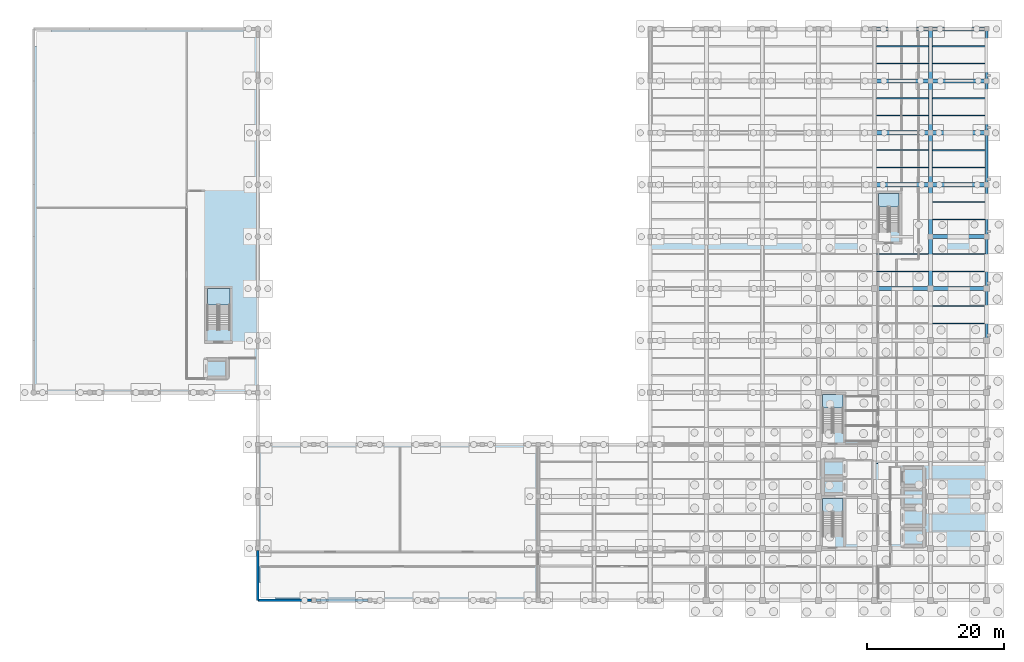
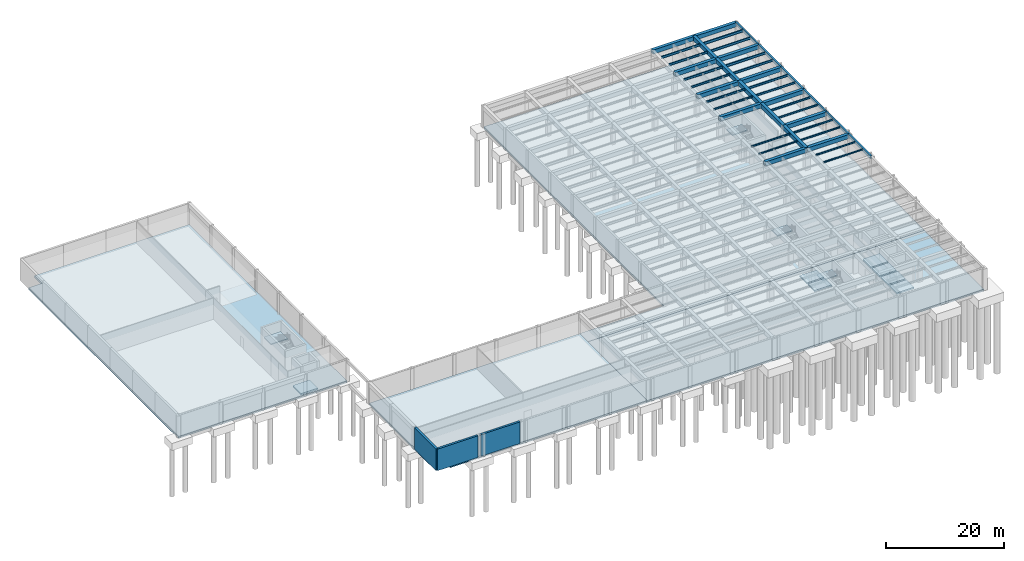
# One storey, part 15 of 29: 42 beams, 15 slabs, 3 walls, 4 elements without a shape of their own.
"""IFC4 building model written with IfcOpenShell, lengths in metres."""

from ifc_helpers import new_model, si_unit, direction, frame, frame_2d, origin, origin_2d, place, context, subcontext, project, spatial, polyline, rectangle, i_section, outline, extrude, material, layer, layer_set, material_profile, profile_set, type_object, element, aggregate, save


model = new_model("IFC4")

# Units and contexts
model_context = context("Model", 3, precision=1e-05, world=origin(), true_north=direction((0.0, 1.0)))
body_context = subcontext(model_context, "Body", "Model", "MODEL_VIEW")
ifc_project = project(units=[si_unit("LENGTHUNIT", "METRE"), si_unit("AREAUNIT", "SQUARE_METRE"), si_unit("VOLUMEUNIT", "CUBIC_METRE"), si_unit("PLANEANGLEUNIT", "RADIAN"), si_unit("MASSUNIT", "GRAM", prefix="KILO")], contexts=[model_context])

# Site, building, storey
site_placement = place(None, origin())
site = spatial("IfcSite", under=ifc_project, at=site_placement, CompositionType="ELEMENT")
building_placement = place(site_placement, origin())
building = spatial("IfcBuilding", under=site, at=building_placement, Name="Qandaris Square Conservatory and Botanical Centre", CompositionType="ELEMENT")
storey_placement = place(building_placement, frame((0.0, 0.0, -4.800048828125)))
storey = spatial("IfcBuildingStorey", under=building, at=storey_placement, Name="B1", CompositionType="ELEMENT", Elevation=-4.800048828125)

# Beams
ifc_material_1 = material(Name="Steel S355", Category="steel")
ifc_material_profile_1 = material_profile(ifc_material_1, i_section(OverallWidth=0.18994140625, OverallDepth=0.449951171875, WebThickness=0.009521484375, FlangeThickness=0.0146484375, FilletRadius=0.02099609375, at=origin_2d()), Name="IPE 450")
ifc_profile_set_1 = profile_set([ifc_material_profile_1], Name="Steel S355")
beam_type_1 = type_object("IfcBeamType", Name="Composite Archive Joist IPE 450", PredefinedType="JOIST", material=ifc_profile_set_1)
for number, where, z_axis, x_axis, name in (
    (1, (147.699951171875, 90.066650390625, 4.22509765625), (1.0, 0.0, 0.0), (0.0, 1.0, 0.0), "B1 Composite Joist 0294"),
    (2, (147.699951171875, 95.13330078125, 4.22509765625), (1.0, 0.0, 0.0), (0.0, 1.0, 0.0), "B1 Composite Joist 0295"),
):
    element("IfcBeam", number, at=place(storey_placement, frame(where, z_axis=z_axis, x_axis=x_axis)), inside=storey, type_object=beam_type_1, Name=name, PredefinedType="JOIST", context=body_context, shape_type="SweptSolid", body=[
        extrude(i_section(OverallWidth=0.18994140625, OverallDepth=0.449951171875, WebThickness=0.009521484375, FlangeThickness=0.0146484375, FilletRadius=0.02099609375, at=origin_2d()), origin(), (0.0, 0.0, 1.0), 7.60009765625),
    ])
for number, where, z_axis, x_axis, name in (
    (3, (155.89990234375, 82.466796875, 4.22509765625), (1.0, 0.0, 0.0), (0.0, 1.0, 0.0), "B1 Composite Joist 0314"),
    (4, (155.89990234375, 87.533203125, 4.22509765625), (1.0, 0.0, 0.0), (0.0, 1.0, 0.0), "B1 Composite Joist 0315"),
):
    element("IfcBeam", number, at=place(storey_placement, frame(where, z_axis=z_axis, x_axis=x_axis)), inside=storey, type_object=beam_type_1, Name=name, PredefinedType="JOIST", context=body_context, shape_type="SweptSolid", body=[
        extrude(i_section(OverallWidth=0.18994140625, OverallDepth=0.449951171875, WebThickness=0.009521484375, FlangeThickness=0.0146484375, FilletRadius=0.02099609375, at=origin_2d()), origin(), (0.0, 0.0, 1.0), 7.72509765625),
    ])
ifc_material_profile_2 = material_profile(ifc_material_1, i_section(OverallWidth=0.199951171875, OverallDepth=0.5, WebThickness=0.01025390625, FlangeThickness=0.01611328125, FilletRadius=0.02099609375, at=origin_2d()), Name="IPE 500")
ifc_profile_set_2 = profile_set([ifc_material_profile_2], Name="Steel S355")
beam_type_2 = type_object("IfcBeamType", Name="Composite Gallery Joist IPE 500", PredefinedType="JOIST", material=ifc_profile_set_2)
beam_1_placement = place(storey_placement, frame((147.699951171875, 97.666748046875, 4.199951171875), z_axis=(1.0, 0.0, 0.0), x_axis=(0.0, 1.0, 0.0)))
element("IfcBeam", 5, at=beam_1_placement, inside=storey, type_object=beam_type_2, Name="B1 Composite Joist 0296", PredefinedType="JOIST", context=body_context, shape_type="SweptSolid", body=[
    extrude(i_section(OverallWidth=0.199951171875, OverallDepth=0.5, WebThickness=0.01025390625, FlangeThickness=0.01611328125, FilletRadius=0.02099609375, at=origin_2d()), origin(), (0.0, 0.0, 1.0), 7.60009765625),
])
for number, where, z_axis, x_axis, name in (
    (6, (155.89990234375, 90.066650390625, 4.199951171875), (1.0, 0.0, 0.0), (0.0, 1.0, 0.0), "B1 Composite Joist 0316"),
    (7, (155.89990234375, 95.13330078125, 4.199951171875), (1.0, 0.0, 0.0), (0.0, 1.0, 0.0), "B1 Composite Joist 0317"),
):
    element("IfcBeam", number, at=place(storey_placement, frame(where, z_axis=z_axis, x_axis=x_axis)), inside=storey, type_object=beam_type_2, Name=name, PredefinedType="JOIST", context=body_context, shape_type="SweptSolid", body=[
        extrude(i_section(OverallWidth=0.199951171875, OverallDepth=0.5, WebThickness=0.01025390625, FlangeThickness=0.01611328125, FilletRadius=0.02099609375, at=origin_2d()), origin(), (0.0, 0.0, 1.0), 7.72509765625),
    ])
ifc_material_profile_3 = material_profile(ifc_material_1, i_section(OverallWidth=0.14990234375, OverallDepth=0.300048828125, WebThickness=0.007080078125, FlangeThickness=0.0107421875, FilletRadius=0.014892578125, at=origin_2d()), Name="IPE 300")
ifc_profile_set_3 = profile_set([ifc_material_profile_3], Name="Steel S355")
beam_type_3 = type_object("IfcBeamType", Name="Composite Lab Joist IPE 300", PredefinedType="JOIST", material=ifc_profile_set_3)
beam_2_placement = place(storey_placement, frame((147.699951171875, 64.7333984375, 4.300048828125), z_axis=(1.0, 0.0, 0.0), x_axis=(0.0, 1.0, 0.0)))
element("IfcBeam", 8, at=beam_2_placement, inside=storey, type_object=beam_type_3, Name="B1 Composite Joist 0289", PredefinedType="JOIST", context=body_context, shape_type="SweptSolid", body=[
    extrude(i_section(OverallWidth=0.14990234375, OverallDepth=0.300048828125, WebThickness=0.007080078125, FlangeThickness=0.0107421875, FilletRadius=0.014892578125, at=origin_2d()), origin(), (0.0, 0.0, 1.0), 7.60009765625),
])
beam_3_placement = place(storey_placement, frame((155.89990234375, 57.13330078125, 4.300048828125), z_axis=(1.0, 0.0, 0.0), x_axis=(0.0, 1.0, 0.0)))
element("IfcBeam", 9, at=beam_3_placement, inside=storey, type_object=beam_type_3, Name="B1 Composite Joist 0307", PredefinedType="JOIST", context=body_context, shape_type="SweptSolid", body=[
    extrude(i_section(OverallWidth=0.14990234375, OverallDepth=0.300048828125, WebThickness=0.007080078125, FlangeThickness=0.0107421875, FilletRadius=0.014892578125, at=origin_2d()), origin(), (0.0, 0.0, 1.0), 7.72509765625),
])
ifc_material_profile_4 = material_profile(ifc_material_1, i_section(OverallWidth=0.159912109375, OverallDepth=0.330078125, WebThickness=0.007568359375, FlangeThickness=0.011474609375, FilletRadius=0.01806640625, at=origin_2d()), Name="IPE 330")
ifc_profile_set_4 = profile_set([ifc_material_profile_4], Name="Steel S355")
beam_type_4 = type_object("IfcBeamType", Name="Composite Lab Joist IPE 330", PredefinedType="JOIST", material=ifc_profile_set_4)
beam_4_placement = place(storey_placement, frame((147.699951171875, 67.2666015625, 4.28515625), z_axis=(1.0, 0.0, 0.0), x_axis=(0.0, 1.0, 0.0)))
element("IfcBeam", 10, at=beam_4_placement, inside=storey, type_object=beam_type_4, Name="B1 Composite Joist 0290", PredefinedType="JOIST", context=body_context, shape_type="SweptSolid", body=[
    extrude(i_section(OverallWidth=0.159912109375, OverallDepth=0.330078125, WebThickness=0.007568359375, FlangeThickness=0.011474609375, FilletRadius=0.01806640625, at=origin_2d()), origin(), (0.0, 0.0, 1.0), 7.60009765625),
])
for number, where, z_axis, x_axis, name in (
    (11, (155.89990234375, 59.666748046875, 4.28515625), (1.0, 0.0, 0.0), (0.0, 1.0, 0.0), "B1 Composite Joist 0308"),
    (12, (155.89990234375, 64.7333984375, 4.28515625), (1.0, 0.0, 0.0), (0.0, 1.0, 0.0), "B1 Composite Joist 0309"),
):
    element("IfcBeam", number, at=place(storey_placement, frame(where, z_axis=z_axis, x_axis=x_axis)), inside=storey, type_object=beam_type_4, Name=name, PredefinedType="JOIST", context=body_context, shape_type="SweptSolid", body=[
        extrude(i_section(OverallWidth=0.159912109375, OverallDepth=0.330078125, WebThickness=0.007568359375, FlangeThickness=0.011474609375, FilletRadius=0.01806640625, at=origin_2d()), origin(), (0.0, 0.0, 1.0), 7.72509765625),
    ])
ifc_material_profile_5 = material_profile(ifc_material_1, i_section(OverallWidth=0.169921875, OverallDepth=0.360107421875, WebThickness=0.008056640625, FlangeThickness=0.0126953125, FilletRadius=0.01806640625, at=origin_2d()), Name="IPE 360")
ifc_profile_set_5 = profile_set([ifc_material_profile_5], Name="Steel S355")
beam_type_5 = type_object("IfcBeamType", Name="Composite Lab Joist IPE 360", PredefinedType="JOIST", material=ifc_profile_set_5)
beam_5_placement = place(storey_placement, frame((147.699951171875, 79.933349609375, 4.27001953125), z_axis=(1.0, 0.0, 0.0), x_axis=(0.0, 1.0, 0.0)))
element("IfcBeam", 13, at=beam_5_placement, inside=storey, type_object=beam_type_5, Name="B1 Composite Joist 0291", PredefinedType="JOIST", context=body_context, shape_type="SweptSolid", body=[
    extrude(i_section(OverallWidth=0.169921875, OverallDepth=0.360107421875, WebThickness=0.008056640625, FlangeThickness=0.0126953125, FilletRadius=0.01806640625, at=origin_2d()), origin(), (0.0, 0.0, 1.0), 7.60009765625),
])
for number, where, z_axis, x_axis, name in (
    (14, (155.89990234375, 67.2666015625, 4.27001953125), (1.0, 0.0, 0.0), (0.0, 1.0, 0.0), "B1 Composite Joist 0310"),
    (15, (155.89990234375, 72.333251953125, 4.27001953125), (1.0, 0.0, 0.0), (0.0, 1.0, 0.0), "B1 Composite Joist 0311"),
):
    element("IfcBeam", number, at=place(storey_placement, frame(where, z_axis=z_axis, x_axis=x_axis)), inside=storey, type_object=beam_type_5, Name=name, PredefinedType="JOIST", context=body_context, shape_type="SweptSolid", body=[
        extrude(i_section(OverallWidth=0.169921875, OverallDepth=0.360107421875, WebThickness=0.008056640625, FlangeThickness=0.0126953125, FilletRadius=0.01806640625, at=origin_2d()), origin(), (0.0, 0.0, 1.0), 7.72509765625),
    ])
ifc_material_profile_6 = material_profile(ifc_material_1, i_section(OverallWidth=0.179931640625, OverallDepth=0.39990234375, WebThickness=0.008544921875, FlangeThickness=0.013427734375, FilletRadius=0.02099609375, at=origin_2d()), Name="IPE 400")
ifc_profile_set_6 = profile_set([ifc_material_profile_6], Name="Steel S355")
beam_type_6 = type_object("IfcBeamType", Name="Composite Plinth Joist IPE 400", PredefinedType="JOIST", material=ifc_profile_set_6)
for number, where, z_axis, x_axis, name in (
    (16, (147.699951171875, 82.466796875, 4.25), (1.0, 0.0, 0.0), (0.0, 1.0, 0.0), "B1 Composite Joist 0292"),
    (17, (147.699951171875, 87.533203125, 4.25), (1.0, 0.0, 0.0), (0.0, 1.0, 0.0), "B1 Composite Joist 0293"),
):
    element("IfcBeam", number, at=place(storey_placement, frame(where, z_axis=z_axis, x_axis=x_axis)), inside=storey, type_object=beam_type_6, Name=name, PredefinedType="JOIST", context=body_context, shape_type="SweptSolid", body=[
        extrude(i_section(OverallWidth=0.179931640625, OverallDepth=0.39990234375, WebThickness=0.008544921875, FlangeThickness=0.013427734375, FilletRadius=0.02099609375, at=origin_2d()), origin(), (0.0, 0.0, 1.0), 7.60009765625),
    ])
for number, where, z_axis, x_axis, name in (
    (18, (155.89990234375, 74.86669921875, 4.25), (1.0, 0.0, 0.0), (0.0, 1.0, 0.0), "B1 Composite Joist 0312"),
    (19, (155.89990234375, 79.933349609375, 4.25), (1.0, 0.0, 0.0), (0.0, 1.0, 0.0), "B1 Composite Joist 0313"),
):
    element("IfcBeam", number, at=place(storey_placement, frame(where, z_axis=z_axis, x_axis=x_axis)), inside=storey, type_object=beam_type_6, Name=name, PredefinedType="JOIST", context=body_context, shape_type="SweptSolid", body=[
        extrude(i_section(OverallWidth=0.179931640625, OverallDepth=0.39990234375, WebThickness=0.008544921875, FlangeThickness=0.013427734375, FilletRadius=0.02099609375, at=origin_2d()), origin(), (0.0, 0.0, 1.0), 7.72509765625),
    ])
ifc_material_profile_7 = material_profile(ifc_material_1, i_section(OverallWidth=0.2099609375, OverallDepth=0.550048828125, WebThickness=0.010986328125, FlangeThickness=0.01708984375, FilletRadius=0.02392578125, at=origin_2d()), Name="IPE 550")
ifc_profile_set_7 = profile_set([ifc_material_profile_7], Name="Steel S355")
beam_type_7 = type_object("IfcBeamType", Name="Long-Span Foyer Joist IPE 550", PredefinedType="JOIST", material=ifc_profile_set_7)
beam_6_placement = place(storey_placement, frame((155.89990234375, 97.666748046875, 4.175048828125), z_axis=(1.0, 0.0, 0.0), x_axis=(0.0, 1.0, 0.0)))
element("IfcBeam", 20, at=beam_6_placement, inside=storey, type_object=beam_type_7, Name="B1 Composite Joist 0318", PredefinedType="JOIST", context=body_context, shape_type="SweptSolid", body=[
    extrude(i_section(OverallWidth=0.2099609375, OverallDepth=0.550048828125, WebThickness=0.010986328125, FlangeThickness=0.01708984375, FilletRadius=0.02392578125, at=origin_2d()), origin(), (0.0, 0.0, 1.0), 7.72509765625),
])
ifc_material_2 = material(Name="Concrete C50/60", Category="concrete")
ifc_material_profile_8 = material_profile(ifc_material_2, rectangle(XDim=0.35009765625, YDim=0.60009765625, at=origin_2d()), Name="RC-SP 350x600")
ifc_profile_set_8 = profile_set([ifc_material_profile_8], Name="Concrete C50/60")
beam_type_8 = type_object("IfcBeamType", Name="RC Edge Spandrel Beam 350x600", PredefinedType="SPANDREL", material=ifc_profile_set_8)
beam_7_placement = place(storey_placement, frame((163.800048828125, 54.60009765625, 4.16015625), z_axis=(0.0, 1.0, 0.0), x_axis=(-1.0, 0.0, 0.0)))
element("IfcBeam", 21, at=beam_7_placement, inside=storey, type_object=beam_type_8, Name="B1 Frame Beam 0179", PredefinedType="SPANDREL", context=body_context, shape_type="SweptSolid", body=[
    extrude(rectangle(XDim=0.35009765625, YDim=0.60009765625, at=origin_2d()), origin(), (0.0, 0.0, 1.0), 7.599853515625),
])
beam_8_placement = place(storey_placement, frame((163.800048828125, 62.199951171875, 4.16015625), z_axis=(0.0, 1.0, 0.0), x_axis=(-1.0, 0.0, 0.0)))
element("IfcBeam", 22, at=beam_8_placement, inside=storey, type_object=beam_type_8, Name="B1 Frame Beam 0180", PredefinedType="SPANDREL", context=body_context, shape_type="SweptSolid", body=[
    extrude(rectangle(XDim=0.35009765625, YDim=0.60009765625, at=origin_2d()), origin(), (0.0, 0.0, 1.0), 7.60009765625),
])
beam_9_placement = place(storey_placement, frame((163.800048828125, 69.800048828125, 4.16015625), z_axis=(0.0, 1.0, 0.0), x_axis=(-1.0, 0.0, 0.0)))
element("IfcBeam", 23, at=beam_9_placement, inside=storey, type_object=beam_type_8, Name="B1 Frame Beam 0181", PredefinedType="SPANDREL", context=body_context, shape_type="SweptSolid", body=[
    extrude(rectangle(XDim=0.35009765625, YDim=0.60009765625, at=origin_2d()), origin(), (0.0, 0.0, 1.0), 7.599853515625),
])
for number, where, z_axis, x_axis, name in (
    (24, (163.800048828125, 77.39990234375, 4.16015625), (0.0, 1.0, 0.0), (-1.0, 0.0, 0.0), "B1 Frame Beam 0182"),
    (25, (163.800048828125, 85.0, 4.16015625), (0.0, 1.0, 0.0), (-1.0, 0.0, 0.0), "B1 Frame Beam 0183"),
):
    element("IfcBeam", number, at=place(storey_placement, frame(where, z_axis=z_axis, x_axis=x_axis)), inside=storey, type_object=beam_type_8, Name=name, PredefinedType="SPANDREL", context=body_context, shape_type="SweptSolid", body=[
        extrude(rectangle(XDim=0.35009765625, YDim=0.60009765625, at=origin_2d()), origin(), (0.0, 0.0, 1.0), 7.60009765625),
    ])
beam_10_placement = place(storey_placement, frame((163.800048828125, 92.60009765625, 4.16015625), z_axis=(0.0, 1.0, 0.0), x_axis=(-1.0, 0.0, 0.0)))
element("IfcBeam", 26, at=beam_10_placement, inside=storey, type_object=beam_type_8, Name="B1 Frame Beam 0184", PredefinedType="SPANDREL", context=body_context, shape_type="SweptSolid", body=[
    extrude(rectangle(XDim=0.35009765625, YDim=0.60009765625, at=origin_2d()), origin(), (0.0, 0.0, 1.0), 7.599853515625),
])
ifc_material_profile_9 = material_profile(ifc_material_2, rectangle(XDim=0.60009765625, YDim=0.85009765625, at=origin_2d()), Name="RC-BM 600x850")
ifc_profile_set_9 = profile_set([ifc_material_profile_9], Name="Concrete C50/60")
beam_type_9 = type_object("IfcBeamType", Name="RC Heavy Archive Girder 600x850", PredefinedType="BEAM", material=ifc_profile_set_9)
beam_11_placement = place(storey_placement, frame((147.39990234375, 62.199951171875, 4.03515625), z_axis=(1.0, 0.0, 0.0), x_axis=(0.0, 1.0, 0.0)))
element("IfcBeam", 27, at=beam_11_placement, inside=storey, type_object=beam_type_9, Name="B1 Frame Beam 0062", PredefinedType="BEAM", context=body_context, shape_type="SweptSolid", body=[
    extrude(rectangle(XDim=0.60009765625, YDim=0.85009765625, at=origin_2d()), origin(), (0.0, 0.0, 1.0), 8.2001953125),
])
for number, where, z_axis, x_axis, name in (
    (28, (155.60009765625, 62.199951171875, 4.03515625), (1.0, 0.0, 0.0), (0.0, 1.0, 0.0), "B1 Frame Beam 0063"),
    (29, (155.60009765625, 69.800048828125, 4.03515625), (1.0, 0.0, 0.0), (0.0, 1.0, 0.0), "B1 Frame Beam 0068"),
):
    element("IfcBeam", number, at=place(storey_placement, frame(where, z_axis=z_axis, x_axis=x_axis)), inside=storey, type_object=beam_type_9, Name=name, PredefinedType="BEAM", context=body_context, shape_type="SweptSolid", body=[
        extrude(rectangle(XDim=0.60009765625, YDim=0.85009765625, at=origin_2d()), origin(), (0.0, 0.0, 1.0), 8.199951171875),
    ])
beam_12_placement = place(storey_placement, frame((147.39990234375, 77.39990234375, 4.03515625), z_axis=(1.0, 0.0, 0.0), x_axis=(0.0, 1.0, 0.0)))
element("IfcBeam", 30, at=beam_12_placement, inside=storey, type_object=beam_type_9, Name="B1 Frame Beam 0073", PredefinedType="BEAM", context=body_context, shape_type="SweptSolid", body=[
    extrude(rectangle(XDim=0.60009765625, YDim=0.85009765625, at=origin_2d()), origin(), (0.0, 0.0, 1.0), 8.2001953125),
])
beam_13_placement = place(storey_placement, frame((155.60009765625, 77.39990234375, 4.03515625), z_axis=(1.0, 0.0, 0.0), x_axis=(0.0, 1.0, 0.0)))
element("IfcBeam", 31, at=beam_13_placement, inside=storey, type_object=beam_type_9, Name="B1 Frame Beam 0074", PredefinedType="BEAM", context=body_context, shape_type="SweptSolid", body=[
    extrude(rectangle(XDim=0.60009765625, YDim=0.85009765625, at=origin_2d()), origin(), (0.0, 0.0, 1.0), 8.199951171875),
])
beam_14_placement = place(storey_placement, frame((147.39990234375, 85.0, 4.03515625), z_axis=(1.0, 0.0, 0.0), x_axis=(0.0, 1.0, 0.0)))
element("IfcBeam", 32, at=beam_14_placement, inside=storey, type_object=beam_type_9, Name="B1 Frame Beam 0079", PredefinedType="BEAM", context=body_context, shape_type="SweptSolid", body=[
    extrude(rectangle(XDim=0.60009765625, YDim=0.85009765625, at=origin_2d()), origin(), (0.0, 0.0, 1.0), 8.2001953125),
])
beam_15_placement = place(storey_placement, frame((155.60009765625, 85.0, 4.03515625), z_axis=(1.0, 0.0, 0.0), x_axis=(0.0, 1.0, 0.0)))
element("IfcBeam", 33, at=beam_15_placement, inside=storey, type_object=beam_type_9, Name="B1 Frame Beam 0080", PredefinedType="BEAM", context=body_context, shape_type="SweptSolid", body=[
    extrude(rectangle(XDim=0.60009765625, YDim=0.85009765625, at=origin_2d()), origin(), (0.0, 0.0, 1.0), 8.199951171875),
])
beam_16_placement = place(storey_placement, frame((147.39990234375, 92.60009765625, 4.03515625), z_axis=(1.0, 0.0, 0.0), x_axis=(0.0, 1.0, 0.0)))
element("IfcBeam", 34, at=beam_16_placement, inside=storey, type_object=beam_type_9, Name="B1 Frame Beam 0085", PredefinedType="BEAM", context=body_context, shape_type="SweptSolid", body=[
    extrude(rectangle(XDim=0.60009765625, YDim=0.85009765625, at=origin_2d()), origin(), (0.0, 0.0, 1.0), 8.2001953125),
])
beam_17_placement = place(storey_placement, frame((155.60009765625, 92.60009765625, 4.03515625), z_axis=(1.0, 0.0, 0.0), x_axis=(0.0, 1.0, 0.0)))
element("IfcBeam", 35, at=beam_17_placement, inside=storey, type_object=beam_type_9, Name="B1 Frame Beam 0086", PredefinedType="BEAM", context=body_context, shape_type="SweptSolid", body=[
    extrude(rectangle(XDim=0.60009765625, YDim=0.85009765625, at=origin_2d()), origin(), (0.0, 0.0, 1.0), 8.199951171875),
])
beam_18_placement = place(storey_placement, frame((147.39990234375, 100.199951171875, 4.03515625), z_axis=(1.0, 0.0, 0.0), x_axis=(0.0, 1.0, 0.0)))
element("IfcBeam", 36, at=beam_18_placement, inside=storey, type_object=beam_type_9, Name="B1 Frame Beam 0091", PredefinedType="BEAM", context=body_context, shape_type="SweptSolid", body=[
    extrude(rectangle(XDim=0.60009765625, YDim=0.85009765625, at=origin_2d()), origin(), (0.0, 0.0, 1.0), 8.2001953125),
])
beam_19_placement = place(storey_placement, frame((155.60009765625, 100.199951171875, 4.03515625), z_axis=(1.0, 0.0, 0.0), x_axis=(0.0, 1.0, 0.0)))
element("IfcBeam", 37, at=beam_19_placement, inside=storey, type_object=beam_type_9, Name="B1 Frame Beam 0092", PredefinedType="BEAM", context=body_context, shape_type="SweptSolid", body=[
    extrude(rectangle(XDim=0.60009765625, YDim=0.85009765625, at=origin_2d()), origin(), (0.0, 0.0, 1.0), 8.199951171875),
])
beam_20_placement = place(storey_placement, frame((155.60009765625, 62.199951171875, 4.03515625), z_axis=(0.0, 1.0, 0.0), x_axis=(-1.0, 0.0, 0.0)))
element("IfcBeam", 38, at=beam_20_placement, inside=storey, type_object=beam_type_9, Name="B1 Frame Beam 0169", PredefinedType="BEAM", context=body_context, shape_type="SweptSolid", body=[
    extrude(rectangle(XDim=0.60009765625, YDim=0.85009765625, at=origin_2d()), origin(), (0.0, 0.0, 1.0), 7.60009765625),
])
beam_21_placement = place(storey_placement, frame((155.60009765625, 69.800048828125, 4.03515625), z_axis=(0.0, 1.0, 0.0), x_axis=(-1.0, 0.0, 0.0)))
element("IfcBeam", 39, at=beam_21_placement, inside=storey, type_object=beam_type_9, Name="B1 Frame Beam 0170", PredefinedType="BEAM", context=body_context, shape_type="SweptSolid", body=[
    extrude(rectangle(XDim=0.60009765625, YDim=0.85009765625, at=origin_2d()), origin(), (0.0, 0.0, 1.0), 7.599853515625),
])
for number, where, z_axis, x_axis, name in (
    (40, (155.60009765625, 77.39990234375, 4.03515625), (0.0, 1.0, 0.0), (-1.0, 0.0, 0.0), "B1 Frame Beam 0171"),
    (41, (155.60009765625, 85.0, 4.03515625), (0.0, 1.0, 0.0), (-1.0, 0.0, 0.0), "B1 Frame Beam 0172"),
):
    element("IfcBeam", number, at=place(storey_placement, frame(where, z_axis=z_axis, x_axis=x_axis)), inside=storey, type_object=beam_type_9, Name=name, PredefinedType="BEAM", context=body_context, shape_type="SweptSolid", body=[
        extrude(rectangle(XDim=0.60009765625, YDim=0.85009765625, at=origin_2d()), origin(), (0.0, 0.0, 1.0), 7.60009765625),
    ])
beam_22_placement = place(storey_placement, frame((155.60009765625, 92.60009765625, 4.03515625), z_axis=(0.0, 1.0, 0.0), x_axis=(-1.0, 0.0, 0.0)))
element("IfcBeam", 42, at=beam_22_placement, inside=storey, type_object=beam_type_9, Name="B1 Frame Beam 0173", PredefinedType="BEAM", context=body_context, shape_type="SweptSolid", body=[
    extrude(rectangle(XDim=0.60009765625, YDim=0.85009765625, at=origin_2d()), origin(), (0.0, 0.0, 1.0), 7.599853515625),
])

# Stair, slab
ifc_material_3 = material(Name="Concrete C40/50", Category="concrete")
stair_type_1 = type_object("IfcStairType", Name="Core Escape Scissor Stair", PredefinedType="HALF_TURN_STAIR", material=ifc_material_3)
stair_1_placement = place(storey_placement, origin())
stair_1 = element("IfcStair", 43, at=stair_1_placement, inside=storey, type_object=stair_type_1, Name="B1 Tower South Exit Stair ST-1", PredefinedType="HALF_TURN_STAIR")
ifc_layer_1 = layer(ifc_material_3, 0.219970703125)
ifc_layer_set_1 = layer_set([ifc_layer_1], Name="Concrete C40/50")
slab_type_1 = type_object("IfcSlabType", Name="RC Stair Half-Landing Slab 220mm", PredefinedType="LANDING", material=ifc_layer_set_1)
slab_1_placement = place(storey_placement, frame((0.0, 0.0, 2.199951171875)))
slab_1 = element("IfcSlab", 44, at=slab_1_placement, type_object=slab_type_1, Name="ST-1 landing 1", PredefinedType="LANDING", context=body_context, shape_type="SweptSolid", body=[
    extrude(outline(polyline([(142.800048828125, 29.5400390625), (142.800048828125, 31.5), (139.800048828125, 31.5), (139.800048828125, 29.5400390625), (142.800048828125, 29.5400390625)])), origin(), (0.0, 0.0, 1.0), 0.2001953125),
])
aggregate(stair_1, [slab_1])

stair_2_placement = place(storey_placement, origin())
stair_2 = element("IfcStair", 45, at=stair_2_placement, inside=storey, type_object=stair_type_1, Name="B1 Tower North Exit Stair ST-2", PredefinedType="HALF_TURN_STAIR")
slab_2_placement = place(storey_placement, frame((0.0, 0.0, 2.199951171875)))
slab_2 = element("IfcSlab", 46, at=slab_2_placement, type_object=slab_type_1, Name="ST-2 landing 1", PredefinedType="LANDING", context=body_context, shape_type="SweptSolid", body=[
    extrude(outline(polyline([(142.800048828125, 44.739990234375), (142.800048828125, 46.699951171875), (139.800048828125, 46.699951171875), (139.800048828125, 44.739990234375), (142.800048828125, 44.739990234375)])), origin(), (0.0, 0.0, 1.0), 0.2001953125),
])
aggregate(stair_2, [slab_2])

stair_3_placement = place(storey_placement, origin())
stair_3 = element("IfcStair", 47, at=stair_3_placement, inside=storey, type_object=stair_type_1, Name="B1 Herbarium North Exit Stair ST-3", PredefinedType="HALF_TURN_STAIR")
slab_3_placement = place(storey_placement, frame((0.0, 0.0, 2.199951171875)))
slab_3 = element("IfcSlab", 48, at=slab_3_placement, type_object=slab_type_1, Name="ST-3 landing 1", PredefinedType="LANDING", context=body_context, shape_type="SweptSolid", body=[
    extrude(outline(polyline([(151.0, 74.139892578125), (151.0, 76.10009765625), (148.0, 76.10009765625), (148.0, 74.139892578125), (151.0, 74.139892578125)])), origin(), (0.0, 0.0, 1.0), 0.2001953125),
])
aggregate(stair_3, [slab_3])

stair_type_2 = type_object("IfcStairType", Name="Podium Grand Escape Stair 1550mm", PredefinedType="HALF_TURN_STAIR", material=ifc_material_3)
stair_4_placement = place(storey_placement, origin())
stair_4 = element("IfcStair", 49, at=stair_4_placement, inside=storey, type_object=stair_type_2, Name="B1 Conservatory West Exit Stair ST-5", PredefinedType="HALF_TURN_STAIR")
slab_4_placement = place(storey_placement, frame((0.0, 0.0, 2.199951171875)))
slab_4 = element("IfcSlab", 50, at=slab_4_placement, type_object=slab_type_1, Name="ST-5 landing 1", PredefinedType="LANDING", context=body_context, shape_type="SweptSolid", body=[
    extrude(outline(polyline([(53.10009765625, 59.7900390625), (53.10009765625, 62.199951171875), (49.800048828125, 62.199951171875), (49.800048828125, 59.7900390625), (53.10009765625, 59.7900390625)])), origin(), (0.0, 0.0, 1.0), 0.2001953125),
])
aggregate(stair_4, [slab_4])

# Slabs
ifc_layer_2 = layer(ifc_material_3, 0.300048828125)
ifc_layer_set_2 = layer_set([ifc_layer_2], Name="Concrete C40/50")
slab_type_2 = type_object("IfcSlabType", Name="RC Structural Slab 300mm", PredefinedType="FLOOR", material=ifc_layer_set_2)
slab_5_placement = place(storey_placement, frame((0.0, 0.0, -1.550048828125)))
element("IfcSlab", 51, at=slab_5_placement, inside=storey, type_object=slab_type_2, Name="Lift FFL1 Pit Base Slab", PredefinedType="FLOOR", context=body_context, shape_type="SweptSolid", body=[
    extrude(outline(polyline([(139.760009765625, 32.06005859375), (143.10009765625, 32.06005859375), (143.10009765625, 34.340087890625), (139.760009765625, 34.340087890625), (139.760009765625, 32.06005859375)])), origin(), (0.0, 0.0, 1.0), 0.300048828125),
])
slab_6_placement = place(storey_placement, frame((0.0, 0.0, -1.550048828125)))
element("IfcSlab", 52, at=slab_6_placement, inside=storey, type_object=slab_type_2, Name="Lift FFL2 Pit Base Slab", PredefinedType="FLOOR", context=body_context, shape_type="SweptSolid", body=[
    extrude(outline(polyline([(139.760009765625, 34.659912109375), (143.10009765625, 34.659912109375), (143.10009765625, 37.139892578125), (139.760009765625, 37.139892578125), (139.760009765625, 34.659912109375)])), origin(), (0.0, 0.0, 1.0), 0.300048828125),
])
slab_7_placement = place(storey_placement, frame((0.0, 0.0, -1.550048828125)))
element("IfcSlab", 53, at=slab_7_placement, inside=storey, type_object=slab_type_2, Name="Lift PL1 Pit Base Slab", PredefinedType="FLOOR", context=body_context, shape_type="SweptSolid", body=[
    extrude(outline(polyline([(151.449951171875, 24.5), (154.75, 24.5), (154.75, 27.10009765625), (151.449951171875, 27.10009765625), (151.449951171875, 24.5)])), origin(), (0.0, 0.0, 1.0), 0.300048828125),
])
slab_8_placement = place(storey_placement, frame((0.0, 0.0, -1.550048828125)))
element("IfcSlab", 54, at=slab_8_placement, inside=storey, type_object=slab_type_2, Name="Lift PL2 Pit Base Slab", PredefinedType="FLOOR", context=body_context, shape_type="SweptSolid", body=[
    extrude(outline(polyline([(151.449951171875, 27.419921875), (154.75, 27.419921875), (154.75, 30.02001953125), (151.449951171875, 30.02001953125), (151.449951171875, 27.419921875)])), origin(), (0.0, 0.0, 1.0), 0.300048828125),
])
slab_9_placement = place(storey_placement, frame((0.0, 0.0, -1.550048828125)))
element("IfcSlab", 55, at=slab_9_placement, inside=storey, type_object=slab_type_2, Name="Lift PL3 Pit Base Slab", PredefinedType="FLOOR", context=body_context, shape_type="SweptSolid", body=[
    extrude(outline(polyline([(151.449951171875, 30.340087890625), (154.75, 30.340087890625), (154.75, 32.93994140625), (151.449951171875, 32.93994140625), (151.449951171875, 30.340087890625)])), origin(), (0.0, 0.0, 1.0), 0.300048828125),
])
slab_10_placement = place(storey_placement, frame((0.0, 0.0, -1.550048828125)))
element("IfcSlab", 56, at=slab_10_placement, inside=storey, type_object=slab_type_2, Name="Lift GL1 Pit Base Slab", PredefinedType="FLOOR", context=body_context, shape_type="SweptSolid", body=[
    extrude(outline(polyline([(151.449951171875, 33.260009765625), (154.75, 33.260009765625), (154.75, 36.06005859375), (151.449951171875, 36.06005859375), (151.449951171875, 33.260009765625)])), origin(), (0.0, 0.0, 1.0), 0.300048828125),
])
slab_11_placement = place(storey_placement, frame((0.0, 0.0, -1.550048828125)))
element("IfcSlab", 57, at=slab_11_placement, inside=storey, type_object=slab_type_2, Name="Lift CL1 Pit Base Slab", PredefinedType="FLOOR", context=body_context, shape_type="SweptSolid", body=[
    extrude(outline(polyline([(49.5, 49.10009765625), (52.800048828125, 49.10009765625), (52.800048828125, 51.89990234375), (49.5, 51.89990234375), (49.5, 49.10009765625)])), origin(), (0.0, 0.0, 1.0), 0.300048828125),
])
ifc_layer_3 = layer(ifc_material_3, 0.419921875)
ifc_layer_set_3 = layer_set([ifc_layer_3], Name="Concrete C40/50")
slab_type_3 = type_object("IfcSlabType", Name="RC Structural Slab 420mm", PredefinedType="BASESLAB", material=ifc_layer_set_3)
slab_12_placement = place(storey_placement, frame((0.0, 0.0, -0.419921875)))
element("IfcSlab", 58, at=slab_12_placement, inside=storey, type_object=slab_type_3, Name="B1 Structural Slab V4B1", PredefinedType="BASESLAB", context=body_context, shape_type="SweptSolid", body=[
    extrude(outline(polyline([(163.800048828125, 16.60009765625), (98.199951171875, 16.60009765625), (98.199951171875, 36.60009765625), (163.800048828125, 36.60009765625), (163.800048828125, 16.60009765625)])), origin(), (0.0, 0.0, 1.0), 0.419921875),
])
slab_13_placement = place(storey_placement, frame((0.0, 0.0, -0.419921875)))
element("IfcSlab", 59, at=slab_13_placement, inside=storey, type_object=slab_type_3, Name="B1 Structural Slab V4B1", PredefinedType="BASESLAB", context=body_context, shape_type="SweptSolid", body=[
    extrude(outline(polyline([(98.199951171875, 39.39990234375), (114.60009765625, 39.39990234375), (114.60009765625, 100.199951171875), (163.800048828125, 100.199951171875), (163.800048828125, 36.60009765625), (98.199951171875, 36.60009765625), (98.199951171875, 39.39990234375)])), origin(), (0.0, 0.0, 1.0), 0.419921875),
])
slab_14_placement = place(storey_placement, frame((0.0, 0.0, -0.419921875)))
element("IfcSlab", 60, at=slab_14_placement, inside=storey, type_object=slab_type_3, Name="B1 Structural Slab V2B1", PredefinedType="BASESLAB", context=body_context, shape_type="SweptSolid", body=[
    extrude(outline(polyline([(57.199951171875, 39.39990234375), (98.199951171875, 39.39990234375), (98.199951171875, 16.60009765625), (59.800048828125, 16.60009765625), (59.800048828125, 19.199951171875), (57.199951171875, 19.199951171875), (57.199951171875, 39.39990234375)])), origin(), (0.0, 0.0, 1.0), 0.419921875),
])
slab_15_placement = place(storey_placement, frame((0.0, 0.0, -0.419921875)))
element("IfcSlab", 61, at=slab_15_placement, inside=storey, type_object=slab_type_3, Name="B1 Structural Slab V1B1", PredefinedType="BASESLAB", context=body_context, shape_type="SweptSolid", body=[
    extrude(outline(polyline([(57.199951171875, 100.199951171875), (57.199951171875, 47.0), (24.39990234375, 47.0), (24.39990234375, 97.60009765625), (27.0, 97.60009765625), (27.0, 100.199951171875), (57.199951171875, 100.199951171875)])), origin(), (0.0, 0.0, 1.0), 0.419921875),
])

# Walls
ifc_layer_4 = layer(ifc_material_2, 0.39990234375)
ifc_layer_set_4 = layer_set([ifc_layer_4], Name="Concrete C50/60")
wall_type = type_object("IfcWallType", Name="Basement Waterproof RC Retaining Wall 400mm", PredefinedType="SOLIDWALL", material=ifc_layer_set_4)
wall_1_placement = place(storey_placement, frame((57.199951171875, 16.60009765625, 0.0), z_axis=(0.0, 0.0, 1.0), x_axis=(0.0, 1.0, 0.0)))
element("IfcWall", 62, at=wall_1_placement, inside=storey, type_object=wall_type, Name="Basement Retaining Wall 001", PredefinedType="SOLIDWALL", context=body_context, shape_type="SweptSolid", body=[
    extrude(rectangle(XDim=7.27490234375, YDim=0.39990234375, at=frame_2d((3.637451171875, 0.0))), origin(), (0.0, 0.0, 1.0), 4.4599609375),
])
wall_2_placement = place(storey_placement, frame((57.199951171875, 16.60009765625, 0.0), z_axis=(0.0, 0.0, 1.0), x_axis=(1.0, 0.0, 0.0)))
element("IfcWall", 63, at=wall_2_placement, inside=storey, type_object=wall_type, Name="Basement Retaining Wall 044", PredefinedType="SOLIDWALL", context=body_context, shape_type="SweptSolid", body=[
    extrude(rectangle(XDim=7.875, YDim=0.39990234375, at=frame_2d((3.9375, 0.0))), origin(), (0.0, 0.0, 1.0), 4.4599609375),
])
wall_3_placement = place(storey_placement, frame((65.72509765625, 16.60009765625, 0.0), z_axis=(0.0, 0.0, 1.0), x_axis=(1.0, 0.0, 0.0)))
element("IfcWall", 64, at=wall_3_placement, inside=storey, type_object=wall_type, Name="Basement Retaining Wall 045", PredefinedType="SOLIDWALL", context=body_context, shape_type="SweptSolid", body=[
    extrude(rectangle(XDim=7.5498046875, YDim=0.39990234375, at=frame_2d((3.77490234375, 0.0))), origin(), (0.0, 0.0, 1.0), 4.4599609375),
])

save(model, "model.ifc")
